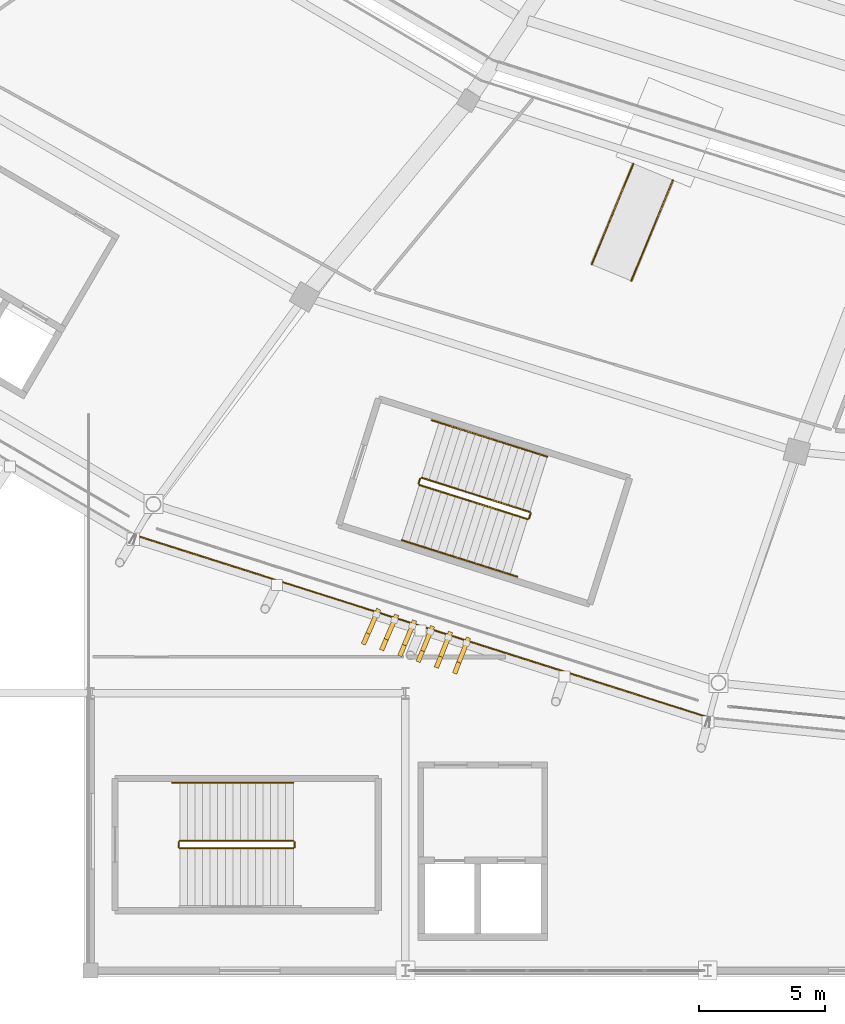
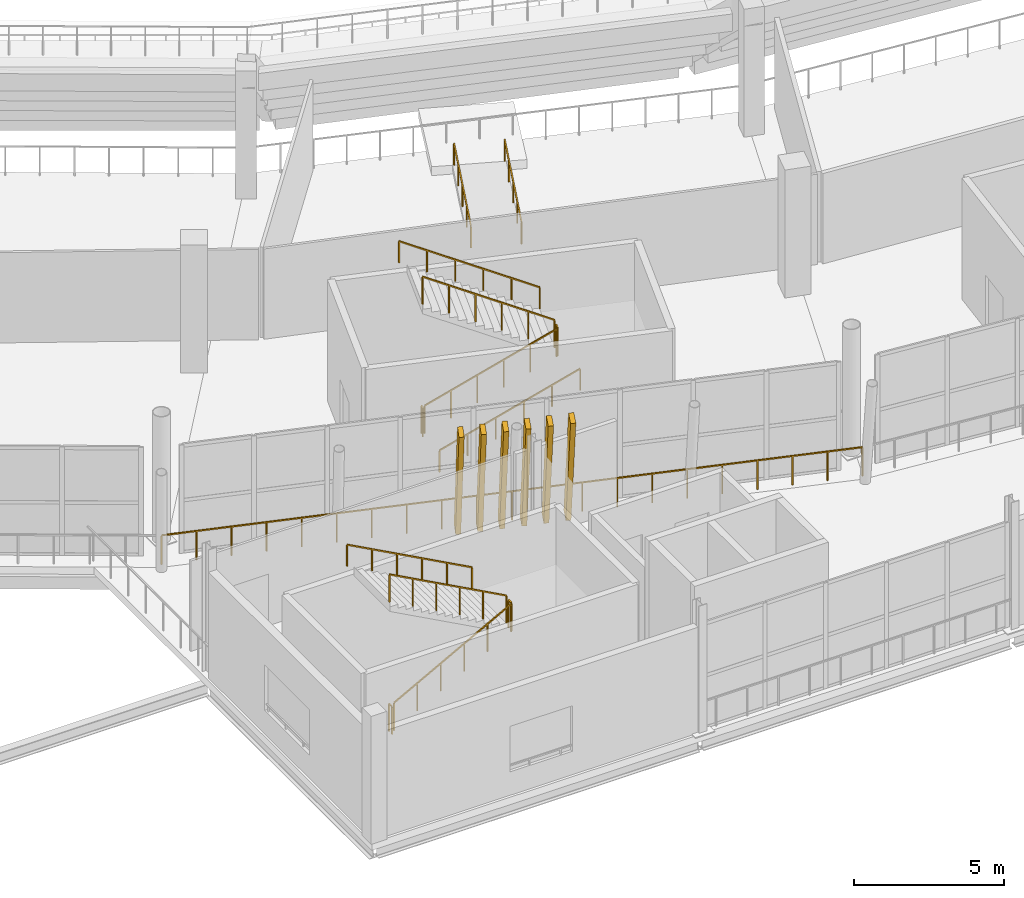
# One storey, part 147 of 178: 14 railings, 6 shading devices.
"""IFC4 building model written with IfcOpenShell, lengths in metres."""

from ifc_helpers import new_model, si_unit, direction, frame, origin, origin_2d, place, context, subcontext, project, spatial, rectangle, extrude, material, material_profile, profile_set, type_object, element, save


model = new_model("IFC4")

# Units and contexts
model_context = context("Model", 3, precision=1e-05, world=origin(), true_north=direction((0.0, 1.0)))
body_context = subcontext(model_context, "Body", "Model", "MODEL_VIEW")
ifc_project = project(units=[si_unit("LENGTHUNIT", "METRE"), si_unit("AREAUNIT", "SQUARE_METRE"), si_unit("VOLUMEUNIT", "CUBIC_METRE"), si_unit("PLANEANGLEUNIT", "RADIAN"), si_unit("MASSUNIT", "GRAM", prefix="KILO")], contexts=[model_context])

# Site, building, storey
site_placement = place(None, origin())
site = spatial("IfcSite", under=ifc_project, at=site_placement, CompositionType="ELEMENT")
building_placement = place(site_placement, origin())
building = spatial("IfcBuilding", under=site, at=building_placement, Name="Zlatoyarsky Gate Stadium", CompositionType="ELEMENT")
storey_placement = place(building_placement, frame((0.0, 0.0, 5.39990234375)))
storey = spatial("IfcBuildingStorey", under=building, at=storey_placement, Name="L01", CompositionType="ELEMENT", Elevation=5.39990234375)

# Railings
ifc_material_1 = material(Name="Powder-coated steel tubular guardrail", Category="steel")
railing_type_1 = type_object("IfcRailingType", Name="CONCOURSE SLAB EDGE GUARDRAIL 1200", PredefinedType="GUARDRAIL", material=ifc_material_1)
railing_1_placement = place(storey_placement, frame((63.78564453125, 17.275146484375, 0.0)))
element("IfcRailing", 1, at=railing_1_placement, inside=storey, type_object=railing_type_1, Name="L01 outer slab edge guardrail 16", PredefinedType="GUARDRAIL", context=body_context, shape_type="SweptSolid", body=[
    extrude(rectangle(XDim=0.048095703125, YDim=0.048095703125, at=origin_2d()), frame((0.0, 0.0, 1.17578125), z_axis=(0.953053432787, -0.302802170157, 0.0), x_axis=(0.302802170157, 0.953053432787, 0.0)), (0.0, 0.0, 1.0), 23.896240234375),
    extrude(rectangle(XDim=0.0419921875, YDim=0.0419921875, at=origin_2d()), origin(), (0.0, 0.0, 1.0), 1.15185546875),
    extrude(rectangle(XDim=0.0419921875, YDim=0.0419921875, at=origin_2d()), frame((1.138671875, -0.36181640625, 0.0)), (0.0, 0.0, 1.0), 1.15185546875),
    extrude(rectangle(XDim=0.0419921875, YDim=0.0419921875, at=origin_2d()), frame((2.27734375, -0.7236328125, 0.0)), (0.0, 0.0, 1.0), 1.15185546875),
    extrude(rectangle(XDim=0.0419921875, YDim=0.0419921875, at=origin_2d()), frame((3.416259765625, -1.08544921875, 0.0)), (0.0, 0.0, 1.0), 1.15185546875),
    extrude(rectangle(XDim=0.0419921875, YDim=0.0419921875, at=origin_2d()), frame((4.554931640625, -1.447265625, 0.0)), (0.0, 0.0, 1.0), 1.15185546875),
    extrude(rectangle(XDim=0.0419921875, YDim=0.0419921875, at=origin_2d()), frame((5.693603515625, -1.80908203125, 0.0)), (0.0, 0.0, 1.0), 1.15185546875),
    extrude(rectangle(XDim=0.0419921875, YDim=0.0419921875, at=origin_2d()), frame((6.832275390625, -2.170654296875, 0.0)), (0.0, 0.0, 1.0), 1.15185546875),
    extrude(rectangle(XDim=0.0419921875, YDim=0.0419921875, at=origin_2d()), frame((7.970947265625, -2.532470703125, 0.0)), (0.0, 0.0, 1.0), 1.15185546875),
    extrude(rectangle(XDim=0.0419921875, YDim=0.0419921875, at=origin_2d()), frame((9.10986328125, -2.894287109375, 0.0)), (0.0, 0.0, 1.0), 1.15185546875),
    extrude(rectangle(XDim=0.0419921875, YDim=0.0419921875, at=origin_2d()), frame((10.24853515625, -3.256103515625, 0.0)), (0.0, 0.0, 1.0), 1.15185546875),
    extrude(rectangle(XDim=0.0419921875, YDim=0.0419921875, at=origin_2d()), frame((11.38720703125, -3.617919921875, 0.0)), (0.0, 0.0, 1.0), 1.15185546875),
    extrude(rectangle(XDim=0.0419921875, YDim=0.0419921875, at=origin_2d()), frame((12.52587890625, -3.979736328125, 0.0)), (0.0, 0.0, 1.0), 1.15185546875),
    extrude(rectangle(XDim=0.0419921875, YDim=0.0419921875, at=origin_2d()), frame((13.66455078125, -4.341552734375, 0.0)), (0.0, 0.0, 1.0), 1.15185546875),
    extrude(rectangle(XDim=0.0419921875, YDim=0.0419921875, at=origin_2d()), frame((14.803466796875, -4.703369140625, 0.0)), (0.0, 0.0, 1.0), 1.15185546875),
    extrude(rectangle(XDim=0.0419921875, YDim=0.0419921875, at=origin_2d()), frame((15.942138671875, -5.065185546875, 0.0)), (0.0, 0.0, 1.0), 1.15185546875),
    extrude(rectangle(XDim=0.0419921875, YDim=0.0419921875, at=origin_2d()), frame((17.080810546875, -5.4267578125, 0.0)), (0.0, 0.0, 1.0), 1.15185546875),
    extrude(rectangle(XDim=0.0419921875, YDim=0.0419921875, at=origin_2d()), frame((18.219482421875, -5.78857421875, 0.0)), (0.0, 0.0, 1.0), 1.15185546875),
    extrude(rectangle(XDim=0.0419921875, YDim=0.0419921875, at=origin_2d()), frame((19.358154296875, -6.150390625, 0.0)), (0.0, 0.0, 1.0), 1.15185546875),
    extrude(rectangle(XDim=0.0419921875, YDim=0.0419921875, at=origin_2d()), frame((20.4970703125, -6.51220703125, 0.0)), (0.0, 0.0, 1.0), 1.15185546875),
    extrude(rectangle(XDim=0.0419921875, YDim=0.0419921875, at=origin_2d()), frame((21.6357421875, -6.8740234375, 0.0)), (0.0, 0.0, 1.0), 1.15185546875),
    extrude(rectangle(XDim=0.0419921875, YDim=0.0419921875, at=origin_2d()), frame((22.7744140625, -7.23583984375, 0.0)), (0.0, 0.0, 1.0), 1.15185546875),
])
ifc_material_2 = material(Name="Powder-coated steel stair guardrail", Category="steel")
railing_type_2 = type_object("IfcRailingType", Name="PAINTED STEEL STAIR WELL GUARDRAIL 1150", PredefinedType="GUARDRAIL", material=ifc_material_2)
railing_2_placement = place(storey_placement, frame((75.05517578125, 19.2763671875, 0.16259765625)))
element("IfcRailing", 2, at=railing_2_placement, inside=storey, type_object=railing_type_2, Name="ST-09 L01 stair guard 1", PredefinedType="GUARDRAIL", context=body_context, shape_type="SweptSolid", body=[
    extrude(rectangle(XDim=0.048095703125, YDim=0.048095703125, at=origin_2d()), frame((0.0, 0.0, 1.1259765625), z_axis=(0.838373688644, -0.26509858813, 0.476290139264), x_axis=(0.301492268635, 0.953468621378, 0.0)), (0.0, 0.0, 1.0), 5.11767578125),
    extrude(rectangle(XDim=0.0419921875, YDim=0.0419921875, at=origin_2d()), origin(), (0.0, 0.0, 1.0), 1.101806640625),
    extrude(rectangle(XDim=0.0419921875, YDim=0.0419921875, at=origin_2d()), frame((0.858154296875, -0.271240234375, 0.487548828125)), (0.0, 0.0, 1.0), 1.101806640625),
    extrude(rectangle(XDim=0.0419921875, YDim=0.0419921875, at=origin_2d()), frame((1.71630859375, -0.542724609375, 0.97509765625)), (0.0, 0.0, 1.0), 1.101806640625),
    extrude(rectangle(XDim=0.0419921875, YDim=0.0419921875, at=origin_2d()), frame((2.57421875, -0.81396484375, 1.46240234375)), (0.0, 0.0, 1.0), 1.101806640625),
    extrude(rectangle(XDim=0.0419921875, YDim=0.0419921875, at=origin_2d()), frame((3.432373046875, -1.08544921875, 1.949951171875)), (0.0, 0.0, 1.0), 1.101806640625),
    extrude(rectangle(XDim=0.0419921875, YDim=0.0419921875, at=origin_2d()), frame((4.29052734375, -1.356689453125, 2.4375)), (0.0, 0.0, 1.0), 1.101806640625),
])
railing_3_placement = place(storey_placement, frame((79.408447265625, 17.9521484375, 2.60009765625)))
element("IfcRailing", 3, at=railing_3_placement, inside=storey, type_object=railing_type_2, Name="ST-09 L01 stair guard 2", PredefinedType="GUARDRAIL", context=body_context, shape_type="SweptSolid", body=[
    extrude(rectangle(XDim=0.048095703125, YDim=0.048095703125, at=origin_2d()), frame((0.0, 0.0, 1.1259765625), z_axis=(0.301540327315, 0.953453423615, 0.0), x_axis=(-0.953453423615, 0.301540327315, 0.0)), (0.0, 0.0, 1.0), 0.199951171875),
    extrude(rectangle(XDim=0.0419921875, YDim=0.0419921875, at=origin_2d()), origin(), (0.0, 0.0, 1.0), 1.101806640625),
    extrude(rectangle(XDim=0.0419921875, YDim=0.0419921875, at=origin_2d()), frame((0.060302734375, 0.190673828125, 0.0)), (0.0, 0.0, 1.0), 1.101806640625),
])
railing_4_placement = place(storey_placement, frame((79.436279296875, 18.20556640625, 2.7626953125)))
element("IfcRailing", 4, at=railing_4_placement, inside=storey, type_object=railing_type_2, Name="ST-09 L01 stair guard 3", PredefinedType="GUARDRAIL", context=body_context, shape_type="SweptSolid", body=[
    extrude(rectangle(XDim=0.048095703125, YDim=0.048095703125, at=origin_2d()), frame((0.0, 0.0, 1.1259765625), z_axis=(-0.838363085299, 0.26514294003, 0.476284115376), x_axis=(-0.301541590324, -0.953453024173, 0.0)), (0.0, 0.0, 1.0), 5.11767578125),
    extrude(rectangle(XDim=0.0419921875, YDim=0.0419921875, at=origin_2d()), origin(), (0.0, 0.0, 1.0), 1.101806640625),
    extrude(rectangle(XDim=0.0419921875, YDim=0.0419921875, at=origin_2d()), frame((-0.858154296875, 0.271484375, 0.487548828125)), (0.0, 0.0, 1.0), 1.101806640625),
    extrude(rectangle(XDim=0.0419921875, YDim=0.0419921875, at=origin_2d()), frame((-1.71630859375, 0.542724609375, 0.97509765625)), (0.0, 0.0, 1.0), 1.101806640625),
    extrude(rectangle(XDim=0.0419921875, YDim=0.0419921875, at=origin_2d()), frame((-2.57421875, 0.814208984375, 1.46240234375)), (0.0, 0.0, 1.0), 1.101806640625),
    extrude(rectangle(XDim=0.0419921875, YDim=0.0419921875, at=origin_2d()), frame((-3.432373046875, 1.08544921875, 1.949951171875)), (0.0, 0.0, 1.0), 1.101806640625),
    extrude(rectangle(XDim=0.0419921875, YDim=0.0419921875, at=origin_2d()), frame((-4.29052734375, 1.35693359375, 2.4375)), (0.0, 0.0, 1.0), 1.101806640625),
])
railing_5_placement = place(storey_placement, frame((75.022705078125, 19.339111328125, 0.0)))
element("IfcRailing", 5, at=railing_5_placement, inside=storey, type_object=railing_type_2, Name="ST-09 L01 stair guard 4", PredefinedType="GUARDRAIL", context=body_context, shape_type="SweptSolid", body=[
    extrude(rectangle(XDim=0.048095703125, YDim=0.048095703125, at=origin_2d()), frame((0.0, 0.0, 1.1259765625), z_axis=(0.301540327315, 0.953453423615, 0.0), x_axis=(-0.953453423615, 0.301540327315, 0.0)), (0.0, 0.0, 1.0), 0.199951171875),
    extrude(rectangle(XDim=0.0419921875, YDim=0.0419921875, at=origin_2d()), origin(), (0.0, 0.0, 1.0), 1.101806640625),
    extrude(rectangle(XDim=0.0419921875, YDim=0.0419921875, at=origin_2d()), frame((0.060302734375, 0.190673828125, 0.0)), (0.0, 0.0, 1.0), 1.101806640625),
])
railing_6_placement = place(storey_placement, frame((65.550048828125, 4.85009765625, 0.16259765625)))
element("IfcRailing", 6, at=railing_6_placement, inside=storey, type_object=railing_type_2, Name="ST-29 L01 stair guard 1", PredefinedType="GUARDRAIL", context=body_context, shape_type="SweptSolid", body=[
    extrude(rectangle(XDim=0.048095703125, YDim=0.048095703125, at=origin_2d()), frame((0.0, 0.0, 1.1259765625), z_axis=(0.879291966537, 0.0, 0.476283148541), x_axis=(0.0, 1.0, 0.0)), (0.0, 0.0, 1.0), 5.11767578125),
    extrude(rectangle(XDim=0.0419921875, YDim=0.0419921875, at=origin_2d()), origin(), (0.0, 0.0, 1.0), 1.101806640625),
    extrude(rectangle(XDim=0.0419921875, YDim=0.0419921875, at=origin_2d()), frame((0.89990234375, 0.0, 0.487548828125)), (0.0, 0.0, 1.0), 1.101806640625),
    extrude(rectangle(XDim=0.0419921875, YDim=0.0419921875, at=origin_2d()), frame((1.800048828125, 0.0, 0.97509765625)), (0.0, 0.0, 1.0), 1.101806640625),
    extrude(rectangle(XDim=0.0419921875, YDim=0.0419921875, at=origin_2d()), frame((2.699951171875, 0.0, 1.46240234375)), (0.0, 0.0, 1.0), 1.101806640625),
    extrude(rectangle(XDim=0.0419921875, YDim=0.0419921875, at=origin_2d()), frame((3.60009765625, 0.0, 1.949951171875)), (0.0, 0.0, 1.0), 1.101806640625),
    extrude(rectangle(XDim=0.0419921875, YDim=0.0419921875, at=origin_2d()), frame((4.5, 0.0, 2.4375)), (0.0, 0.0, 1.0), 1.101806640625),
])
railing_7_placement = place(storey_placement, frame((70.10009765625, 4.89990234375, 2.60009765625)))
element("IfcRailing", 7, at=railing_7_placement, inside=storey, type_object=railing_type_2, Name="ST-29 L01 stair guard 2", PredefinedType="GUARDRAIL", context=body_context, shape_type="SweptSolid", body=[
    extrude(rectangle(XDim=0.048095703125, YDim=0.048095703125, at=origin_2d()), frame((0.0, 0.0, 1.1259765625), z_axis=(0.0, 1.0, 0.0), x_axis=(-1.0, 0.0, 0.0)), (0.0, 0.0, 1.0), 0.2001953125),
    extrude(rectangle(XDim=0.0419921875, YDim=0.0419921875, at=origin_2d()), origin(), (0.0, 0.0, 1.0), 1.101806640625),
    extrude(rectangle(XDim=0.0419921875, YDim=0.0419921875, at=origin_2d()), frame((0.0, 0.2001953125, 0.0)), (0.0, 0.0, 1.0), 1.101806640625),
])
railing_8_placement = place(storey_placement, frame((70.050048828125, 5.14990234375, 2.7626953125)))
element("IfcRailing", 8, at=railing_8_placement, inside=storey, type_object=railing_type_2, Name="ST-29 L01 stair guard 3", PredefinedType="GUARDRAIL", context=body_context, shape_type="SweptSolid", body=[
    extrude(rectangle(XDim=0.048095703125, YDim=0.048095703125, at=origin_2d()), frame((0.0, 0.0, 1.1259765625), z_axis=(-0.879291966537, 0.0, 0.476283148541), x_axis=(0.0, -1.0, 0.0)), (0.0, 0.0, 1.0), 5.11767578125),
    extrude(rectangle(XDim=0.0419921875, YDim=0.0419921875, at=origin_2d()), origin(), (0.0, 0.0, 1.0), 1.101806640625),
    extrude(rectangle(XDim=0.0419921875, YDim=0.0419921875, at=origin_2d()), frame((-0.89990234375, 0.0, 0.487548828125)), (0.0, 0.0, 1.0), 1.101806640625),
    extrude(rectangle(XDim=0.0419921875, YDim=0.0419921875, at=origin_2d()), frame((-1.800048828125, 0.0, 0.97509765625)), (0.0, 0.0, 1.0), 1.101806640625),
    extrude(rectangle(XDim=0.0419921875, YDim=0.0419921875, at=origin_2d()), frame((-2.699951171875, 0.0, 1.46240234375)), (0.0, 0.0, 1.0), 1.101806640625),
    extrude(rectangle(XDim=0.0419921875, YDim=0.0419921875, at=origin_2d()), frame((-3.60009765625, 0.0, 1.949951171875)), (0.0, 0.0, 1.0), 1.101806640625),
    extrude(rectangle(XDim=0.0419921875, YDim=0.0419921875, at=origin_2d()), frame((-4.5, 0.0, 2.4375)), (0.0, 0.0, 1.0), 1.101806640625),
])
railing_9_placement = place(storey_placement, frame((65.5, 4.89990234375, 0.0)))
element("IfcRailing", 9, at=railing_9_placement, inside=storey, type_object=railing_type_2, Name="ST-29 L01 stair guard 4", PredefinedType="GUARDRAIL", context=body_context, shape_type="SweptSolid", body=[
    extrude(rectangle(XDim=0.048095703125, YDim=0.048095703125, at=origin_2d()), frame((0.0, 0.0, 1.1259765625), z_axis=(0.0, 1.0, 0.0), x_axis=(-1.0, 0.0, 0.0)), (0.0, 0.0, 1.0), 0.2001953125),
    extrude(rectangle(XDim=0.0419921875, YDim=0.0419921875, at=origin_2d()), origin(), (0.0, 0.0, 1.0), 1.101806640625),
    extrude(rectangle(XDim=0.0419921875, YDim=0.0419921875, at=origin_2d()), frame((0.0, 0.2001953125, 0.0)), (0.0, 0.0, 1.0), 1.101806640625),
])

# Shading devices
ifc_material_3 = material(Name="Precast concrete C40/50 stone-toned architectural rib", Category="masonry")
ifc_material_profile = material_profile(ifc_material_3, rectangle(XDim=0.179931640625, YDim=0.47998046875, at=origin_2d()), Name="RIB 180X480")
ifc_profile_set = profile_set([ifc_material_profile], Name="Precast concrete C40/50 stone-toned architectural rib")
shading_device_type = type_object("IfcShadingDeviceType", Name="PRECAST RIBBED BOWL LOUVRE FIN 180X480", PredefinedType="JALOUSIE", material=ifc_profile_set)
for number, where, z_axis, x_axis, name in (
    (10, (73.347900390625, 14.133544921875, -0.010009765625), (-0.08858234327, -0.201994200333, 0.97537249884), (0.915807560248, -0.40161737088, 0.0), "Leaning bowl louvre fin L01-16-1"),
    (11, (74.062744140625, 13.906494140625, -0.010009765625), (-0.086902678707, -0.202755957053, 0.975365544969), (0.919133099517, -0.393947135251, 0.0), "Leaning bowl louvre fin L01-16-2"),
    (12, (74.777587890625, 13.67919921875, -0.010009765625), (-0.085224512749, -0.203419463862, 0.975375468294), (0.92232437715, -0.386416541202, 0.0), "Leaning bowl louvre fin L01-16-3"),
    (13, (75.4921875, 13.4521484375, -0.010009765625), (-0.083545172937, -0.204131080283, 0.975372085997), (0.92548815227, -0.378776556836, 0.0), "Leaning bowl louvre fin L01-16-4"),
    (14, (76.20703125, 13.224853515625, -0.010009765625), (-0.081866425579, -0.204793264733, 0.975375623585), (0.928556220344, -0.37119179094, 0.0), "Leaning bowl louvre fin L01-16-5"),
    (15, (76.921875, 12.997802734375, -0.010009765625), (-0.080186566557, -0.205503516702, 0.975365787367), (0.93159286034, -0.363503428545, 0.0), "Leaning bowl louvre fin L01-16-6"),
):
    element("IfcShadingDevice", number, at=place(storey_placement, frame(where, z_axis=z_axis, x_axis=x_axis)), inside=storey, type_object=shading_device_type, Name=name, PredefinedType="JALOUSIE", context=body_context, shape_type="SweptSolid", body=[
        extrude(rectangle(XDim=0.179931640625, YDim=0.47998046875, at=origin_2d()), origin(), (0.0, 0.0, 1.0), 4.79833984375),
    ])

# Railings
ifc_material_4 = material(Name="Brushed stainless steel 316 handrail", Category="steel")
railing_type_3 = type_object("IfcRailingType", Name="STAINLESS STEEL TUBULAR HANDRAIL 900", PredefinedType="HANDRAIL", material=ifc_material_4)
railing_10_placement = place(storey_placement, frame((74.36181640625, 17.08349609375, 0.16650390625)))
element("IfcRailing", 16, at=railing_10_placement, inside=storey, type_object=railing_type_3, Name="ST-09 L01 stair handrail 1", PredefinedType="HANDRAIL", context=body_context, shape_type="SweptSolid", body=[
    extrude(rectangle(XDim=0.048095703125, YDim=0.048095703125, at=origin_2d()), frame((0.0, 0.0, 0.8759765625), z_axis=(0.838366559486, -0.265114529213, 0.476293815135), x_axis=(0.301511080938, 0.953462672616, 0.0)), (0.0, 0.0, 1.0), 5.458984375),
    extrude(rectangle(XDim=0.0419921875, YDim=0.0419921875, at=origin_2d()), origin(), (0.0, 0.0, 1.0), 0.851806640625),
    extrude(rectangle(XDim=0.0419921875, YDim=0.0419921875, at=origin_2d()), frame((0.915283203125, -0.28955078125, 0.52001953125)), (0.0, 0.0, 1.0), 0.851806640625),
    extrude(rectangle(XDim=0.0419921875, YDim=0.0419921875, at=origin_2d()), frame((1.83056640625, -0.578857421875, 1.0400390625)), (0.0, 0.0, 1.0), 0.851806640625),
    extrude(rectangle(XDim=0.0419921875, YDim=0.0419921875, at=origin_2d()), frame((2.74609375, -0.868408203125, 1.56005859375)), (0.0, 0.0, 1.0), 0.851806640625),
    extrude(rectangle(XDim=0.0419921875, YDim=0.0419921875, at=origin_2d()), frame((3.661376953125, -1.15771484375, 2.080078125)), (0.0, 0.0, 1.0), 0.851806640625),
    extrude(rectangle(XDim=0.0419921875, YDim=0.0419921875, at=origin_2d()), frame((4.57666015625, -1.447265625, 2.60009765625)), (0.0, 0.0, 1.0), 0.851806640625),
])
railing_11_placement = place(storey_placement, frame((80.129638671875, 20.398681640625, 2.7666015625)))
element("IfcRailing", 17, at=railing_11_placement, inside=storey, type_object=railing_type_3, Name="ST-09 L01 stair handrail 2", PredefinedType="HANDRAIL", context=body_context, shape_type="SweptSolid", body=[
    extrude(rectangle(XDim=0.048095703125, YDim=0.048095703125, at=origin_2d()), frame((0.0, 0.0, 0.8759765625), z_axis=(-0.83835326985, 0.265124469654, 0.476311673721), x_axis=(-0.301525703453, -0.953458048452, 0.0)), (0.0, 0.0, 1.0), 5.458740234375),
    extrude(rectangle(XDim=0.0419921875, YDim=0.0419921875, at=origin_2d()), origin(), (0.0, 0.0, 1.0), 0.851806640625),
    extrude(rectangle(XDim=0.0419921875, YDim=0.0419921875, at=origin_2d()), frame((-0.915283203125, 0.28955078125, 0.52001953125)), (0.0, 0.0, 1.0), 0.851806640625),
    extrude(rectangle(XDim=0.0419921875, YDim=0.0419921875, at=origin_2d()), frame((-1.83056640625, 0.578857421875, 1.0400390625)), (0.0, 0.0, 1.0), 0.851806640625),
    extrude(rectangle(XDim=0.0419921875, YDim=0.0419921875, at=origin_2d()), frame((-2.745849609375, 0.868408203125, 1.56005859375)), (0.0, 0.0, 1.0), 0.851806640625),
    extrude(rectangle(XDim=0.0419921875, YDim=0.0419921875, at=origin_2d()), frame((-3.6611328125, 1.15771484375, 2.080078125)), (0.0, 0.0, 1.0), 0.851806640625),
    extrude(rectangle(XDim=0.0419921875, YDim=0.0419921875, at=origin_2d()), frame((-4.576416015625, 1.447265625, 2.60009765625)), (0.0, 0.0, 1.0), 0.851806640625),
])
railing_12_placement = place(storey_placement, frame((70.050048828125, 7.449951171875, 2.7666015625)))
element("IfcRailing", 18, at=railing_12_placement, inside=storey, type_object=railing_type_3, Name="ST-29 L01 stair handrail 2", PredefinedType="HANDRAIL", context=body_context, shape_type="SweptSolid", body=[
    extrude(rectangle(XDim=0.048095703125, YDim=0.048095703125, at=origin_2d()), frame((0.0, 0.0, 0.8759765625), z_axis=(-0.879286503747, 0.0, 0.476293233554), x_axis=(0.0, -1.0, 0.0)), (0.0, 0.0, 1.0), 5.458984375),
    extrude(rectangle(XDim=0.0419921875, YDim=0.0419921875, at=origin_2d()), origin(), (0.0, 0.0, 1.0), 0.851806640625),
    extrude(rectangle(XDim=0.0419921875, YDim=0.0419921875, at=origin_2d()), frame((-0.9599609375, 0.0, 0.52001953125)), (0.0, 0.0, 1.0), 0.851806640625),
    extrude(rectangle(XDim=0.0419921875, YDim=0.0419921875, at=origin_2d()), frame((-1.919921875, 0.0, 1.0400390625)), (0.0, 0.0, 1.0), 0.851806640625),
    extrude(rectangle(XDim=0.0419921875, YDim=0.0419921875, at=origin_2d()), frame((-2.880126953125, 0.0, 1.56005859375)), (0.0, 0.0, 1.0), 0.851806640625),
    extrude(rectangle(XDim=0.0419921875, YDim=0.0419921875, at=origin_2d()), frame((-3.840087890625, 0.0, 2.080078125)), (0.0, 0.0, 1.0), 0.851806640625),
    extrude(rectangle(XDim=0.0419921875, YDim=0.0419921875, at=origin_2d()), frame((-4.800048828125, 0.0, 2.60009765625)), (0.0, 0.0, 1.0), 0.851806640625),
])
railing_13_placement = place(storey_placement, frame((81.895751953125, 28.033203125, 0.0)))
element("IfcRailing", 19, at=railing_13_placement, inside=storey, type_object=railing_type_3, Name="AR-06 accessible ramp handrail L", PredefinedType="HANDRAIL", context=body_context, shape_type="SweptSolid", body=[
    extrude(rectangle(XDim=0.048095703125, YDim=0.048095703125, at=origin_2d()), frame((0.0, 0.0, 0.8759765625), z_axis=(0.38133368876, 0.920697554844, 0.083070032628), x_axis=(-0.923890787601, 0.382656259044, 0.0)), (0.0, 0.0, 1.0), 4.3349609375),
    extrude(rectangle(XDim=0.0419921875, YDim=0.0419921875, at=origin_2d()), origin(), (0.0, 0.0, 1.0), 0.851806640625),
    extrude(rectangle(XDim=0.0419921875, YDim=0.0419921875, at=origin_2d()), frame((0.413330078125, 0.997802734375, 0.090087890625)), (0.0, 0.0, 1.0), 0.851806640625),
    extrude(rectangle(XDim=0.0419921875, YDim=0.0419921875, at=origin_2d()), frame((0.82666015625, 1.99560546875, 0.18017578125)), (0.0, 0.0, 1.0), 0.851806640625),
    extrude(rectangle(XDim=0.0419921875, YDim=0.0419921875, at=origin_2d()), frame((1.23974609375, 2.993408203125, 0.27001953125)), (0.0, 0.0, 1.0), 0.851806640625),
    extrude(rectangle(XDim=0.0419921875, YDim=0.0419921875, at=origin_2d()), frame((1.653076171875, 3.9912109375, 0.360107421875)), (0.0, 0.0, 1.0), 0.851806640625),
])
railing_14_placement = place(storey_placement, frame((83.46630859375, 27.3828125, 0.0)))
element("IfcRailing", 20, at=railing_14_placement, inside=storey, type_object=railing_type_3, Name="AR-06 accessible ramp handrail R", PredefinedType="HANDRAIL", context=body_context, shape_type="SweptSolid", body=[
    extrude(rectangle(XDim=0.048095703125, YDim=0.048095703125, at=origin_2d()), frame((0.0, 0.0, 0.8759765625), z_axis=(0.381353462782, 0.920688975942, 0.083074340216), x_axis=(-0.923882511846, 0.382676239537, 0.0)), (0.0, 0.0, 1.0), 4.334716796875),
    extrude(rectangle(XDim=0.0419921875, YDim=0.0419921875, at=origin_2d()), origin(), (0.0, 0.0, 1.0), 0.851806640625),
    extrude(rectangle(XDim=0.0419921875, YDim=0.0419921875, at=origin_2d()), frame((0.413330078125, 0.997802734375, 0.090087890625)), (0.0, 0.0, 1.0), 0.851806640625),
    extrude(rectangle(XDim=0.0419921875, YDim=0.0419921875, at=origin_2d()), frame((0.82666015625, 1.99560546875, 0.18017578125)), (0.0, 0.0, 1.0), 0.851806640625),
    extrude(rectangle(XDim=0.0419921875, YDim=0.0419921875, at=origin_2d()), frame((1.23974609375, 2.9931640625, 0.27001953125)), (0.0, 0.0, 1.0), 0.851806640625),
    extrude(rectangle(XDim=0.0419921875, YDim=0.0419921875, at=origin_2d()), frame((1.653076171875, 3.990966796875, 0.360107421875)), (0.0, 0.0, 1.0), 0.851806640625),
])

save(model, "model.ifc")
